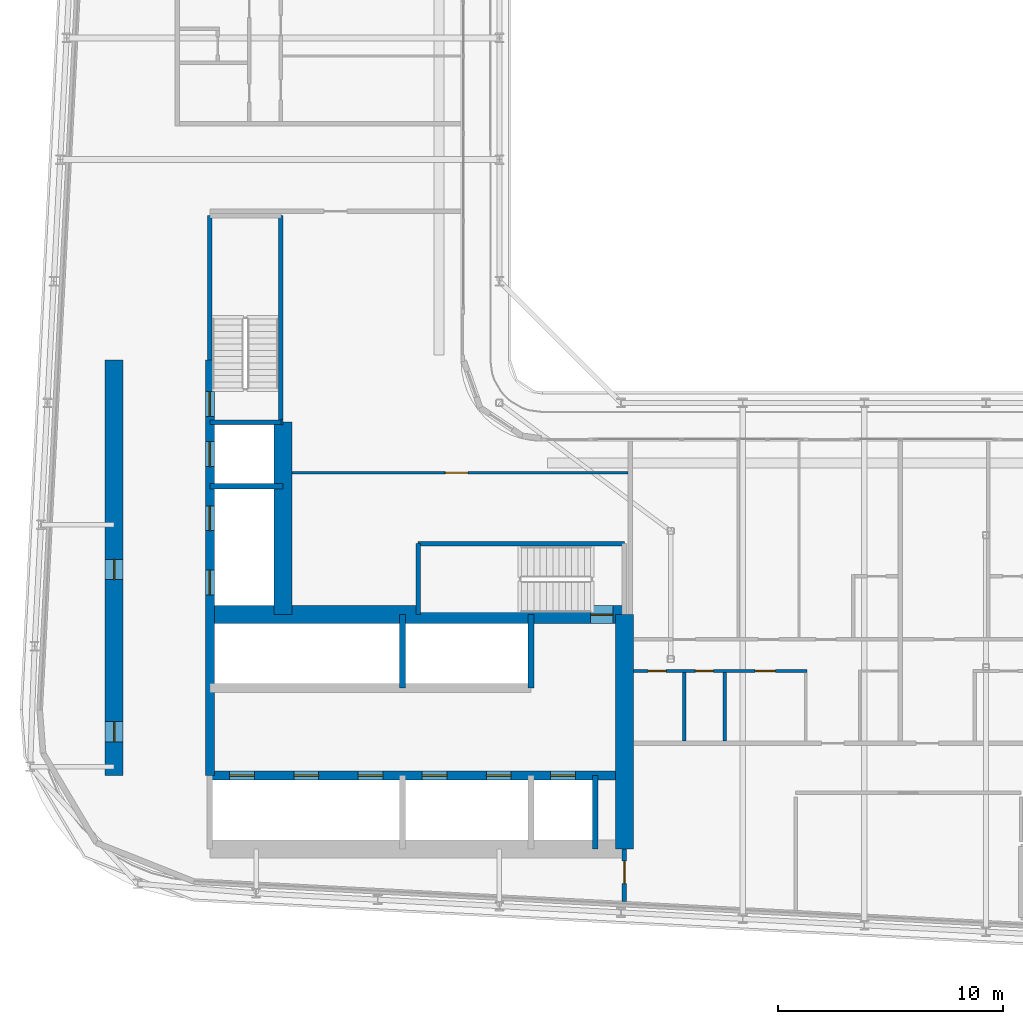
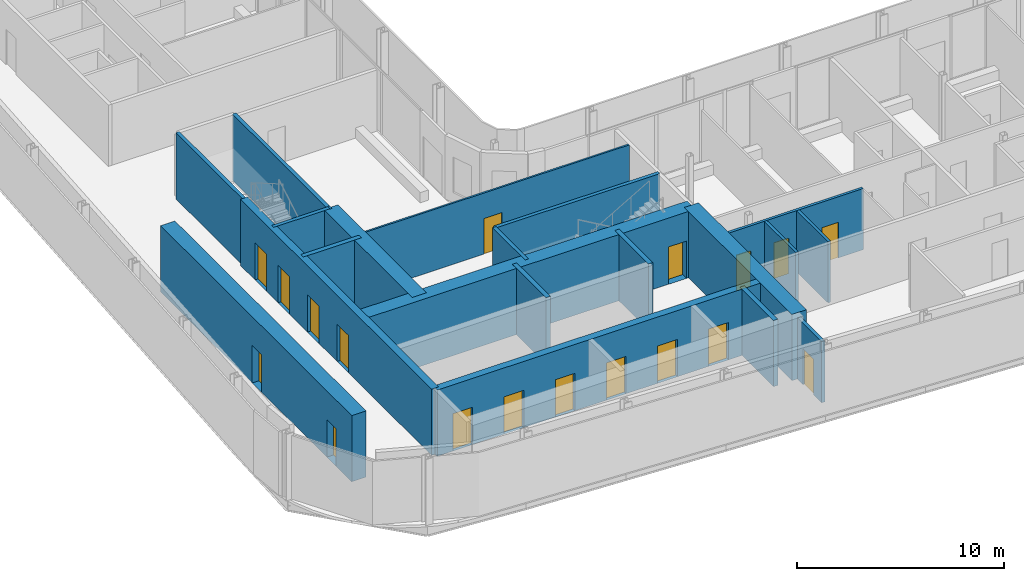
# One storey, part 14 of 28: 21 walls, 18 doors, 18 openings.
"""IFC4 building model written with IfcOpenShell, lengths in metres."""

from ifc_helpers import new_model, si_unit, direction, frame, frame_2d, origin, place, context, subcontext, project, spatial, rectangle, extrude, source, transform, mapped, material, layer, layer_set, type_object, element, fill, save


model = new_model("IFC4")

# Units and contexts
model_context = context("Model", 3, precision=1e-05, world=origin(), true_north=direction((0.0, 1.0)))
body_context = subcontext(model_context, "Body", "Model", "MODEL_VIEW")
ifc_project = project(units=[si_unit("LENGTHUNIT", "METRE"), si_unit("AREAUNIT", "SQUARE_METRE"), si_unit("VOLUMEUNIT", "CUBIC_METRE"), si_unit("PLANEANGLEUNIT", "RADIAN"), si_unit("MASSUNIT", "GRAM", prefix="KILO")], contexts=[model_context])

# Site, building, storey
site_placement = place(None, origin())
site = spatial("IfcSite", under=ifc_project, at=site_placement, CompositionType="ELEMENT")
building_placement = place(site_placement, origin())
building = spatial("IfcBuilding", under=site, at=building_placement, Name="Kheshtan School and Residences Tower", CompositionType="ELEMENT")
storey_placement = place(building_placement, frame((0.0, 0.0, 187.699951171875)))
storey = spatial("IfcBuildingStorey", under=building, at=storey_placement, Name="L44", CompositionType="ELEMENT", Elevation=187.699951171875)

# Wall, openings, doors
ifc_material_1 = material(Name="Concrete C50/60", Category="concrete")
ifc_layer_1 = layer(ifc_material_1, 0.39990234375)
ifc_layer_set_1 = layer_set([ifc_layer_1], Name="Core wall 400 Concrete C50/60")
wall_type_1 = type_object("IfcWallType", Name="Core wall 400 Concrete C50/60", PredefinedType="SHEAR", material=ifc_layer_set_1)
wall_1_placement = place(storey_placement, frame((34.75, 29.050048828125, 0.0), z_axis=(0.0, 0.0, 1.0), x_axis=(1.0, 0.0, 0.0)))
wall_1 = element("IfcWall", 1, at=wall_1_placement, inside=storey, type_object=wall_type_1, Name="Core wall CW-HALL-S1", PredefinedType="SHEAR", context=body_context, shape_type="SweptSolid", body=[
    extrude(rectangle(XDim=18.39990234375, YDim=0.39990234375, at=frame_2d((9.199951171875, 0.0))), origin(), (0.0, 0.0, 1.0), 3.900146484375),
])
opening_1_placement = place(wall_1_placement, frame((0.875, 0.0, 0.0)))
opening_1 = element("IfcOpeningElement", 2, at=opening_1_placement, cuts=wall_1, Name="Opening LD", PredefinedType="OPENING", context=body_context, shape_type="SweptSolid", body=[
    extrude(rectangle(XDim=1.10009765625, YDim=2.199951171875, at=frame_2d((0.550048828125, 1.10009765625))), frame((0.0, 0.2099609375, 0.0), z_axis=(0.0, -1.0, 0.0), x_axis=(1.0, 0.0, 0.0)), (0.0, 0.0, 1.0), 0.419921875),
])
opening_2_placement = place(wall_1_placement, frame((3.72509765625, 0.0, 0.0)))
opening_2 = element("IfcOpeningElement", 3, at=opening_2_placement, cuts=wall_1, Name="Opening LD", PredefinedType="OPENING", context=body_context, shape_type="SweptSolid", body=[
    extrude(rectangle(XDim=1.10009765625, YDim=2.199951171875, at=frame_2d((0.550048828125, 1.10009765625))), frame((0.0, 0.2099609375, 0.0), z_axis=(0.0, -1.0, 0.0), x_axis=(1.0, 0.0, 0.0)), (0.0, 0.0, 1.0), 0.419921875),
])
opening_3_placement = place(wall_1_placement, frame((6.574951171875, 0.0, 0.0)))
opening_3 = element("IfcOpeningElement", 4, at=opening_3_placement, cuts=wall_1, Name="Opening LD", PredefinedType="OPENING", context=body_context, shape_type="SweptSolid", body=[
    extrude(rectangle(XDim=1.10009765625, YDim=2.199951171875, at=frame_2d((0.550048828125, 1.10009765625))), frame((0.0, 0.2099609375, 0.0), z_axis=(0.0, -1.0, 0.0), x_axis=(1.0, 0.0, 0.0)), (0.0, 0.0, 1.0), 0.419921875),
])
opening_4_placement = place(wall_1_placement, frame((9.425048828125, 0.0, 0.0)))
opening_4 = element("IfcOpeningElement", 5, at=opening_4_placement, cuts=wall_1, Name="Opening LD", PredefinedType="OPENING", context=body_context, shape_type="SweptSolid", body=[
    extrude(rectangle(XDim=1.10009765625, YDim=2.199951171875, at=frame_2d((0.550048828125, 1.10009765625))), frame((0.0, 0.2099609375, 0.0), z_axis=(0.0, -1.0, 0.0), x_axis=(1.0, 0.0, 0.0)), (0.0, 0.0, 1.0), 0.419921875),
])
opening_5_placement = place(wall_1_placement, frame((12.27490234375, 0.0, 0.0)))
opening_5 = element("IfcOpeningElement", 6, at=opening_5_placement, cuts=wall_1, Name="Opening LD", PredefinedType="OPENING", context=body_context, shape_type="SweptSolid", body=[
    extrude(rectangle(XDim=1.10009765625, YDim=2.199951171875, at=frame_2d((0.550048828125, 1.10009765625))), frame((0.0, 0.2099609375, 0.0), z_axis=(0.0, -1.0, 0.0), x_axis=(1.0, 0.0, 0.0)), (0.0, 0.0, 1.0), 0.419921875),
])
opening_6_placement = place(wall_1_placement, frame((15.125, 0.0, 0.0)))
opening_6 = element("IfcOpeningElement", 7, at=opening_6_placement, cuts=wall_1, Name="Opening LD", PredefinedType="OPENING", context=body_context, shape_type="SweptSolid", body=[
    extrude(rectangle(XDim=1.10009765625, YDim=2.199951171875, at=frame_2d((0.550048828125, 1.10009765625))), frame((0.0, 0.2099609375, 0.0), z_axis=(0.0, -1.0, 0.0), x_axis=(1.0, 0.0, 0.0)), (0.0, 0.0, 1.0), 0.419921875),
])
ifc_material_2 = material(Name="Stainless steel door leaves", Category="steel")
door_type_1 = type_object("IfcDoorType", Name="Lift landing door 1100", OperationType="SLIDING_TO_LEFT", PredefinedType="DOOR", material=ifc_material_2)
shared_shape_1 = source(origin(), body_context, "Body", "SweptSolid", [
    extrude(rectangle(XDim=1.10009765625, YDim=2.199951171875, at=frame_2d((0.550048828125, 1.10009765625))), frame((0.0, 0.02490234375, 0.0), z_axis=(0.0, -1.0, 0.0), x_axis=(1.0, 0.0, 0.0)), (0.0, 0.0, 1.0), 0.050048828125),
])
door_1_placement = place(opening_1_placement, origin())
door_1 = element("IfcDoor", 8, at=door_1_placement, inside=storey, type_object=door_type_1, Name="Lift P7 landing door", OperationType="SLIDING_TO_LEFT", OverallHeight=2.199951171875, OverallWidth=1.10009765625, PredefinedType="DOOR", context=body_context, shape_type="MappedRepresentation", body=[
    mapped(shared_shape_1, transform((0.0, 0.0, 0.0), x_axis=(1.0, 0.0, 0.0), y_axis=(0.0, 1.0, 0.0), z_axis=(0.0, 0.0, 1.0), scale=1.0)),
])
fill(opening_1, door_1)
door_2_placement = place(opening_2_placement, origin())
door_2 = element("IfcDoor", 9, at=door_2_placement, inside=storey, type_object=door_type_1, Name="Lift P8 landing door", OperationType="SLIDING_TO_LEFT", OverallHeight=2.199951171875, OverallWidth=1.10009765625, PredefinedType="DOOR", context=body_context, shape_type="MappedRepresentation", body=[
    mapped(shared_shape_1, transform((0.0, 0.0, 0.0), x_axis=(1.0, 0.0, 0.0), y_axis=(0.0, 1.0, 0.0), z_axis=(0.0, 0.0, 1.0), scale=1.0)),
])
fill(opening_2, door_2)
door_3_placement = place(opening_3_placement, origin())
door_3 = element("IfcDoor", 10, at=door_3_placement, inside=storey, type_object=door_type_1, Name="Lift P9 landing door", OperationType="SLIDING_TO_LEFT", OverallHeight=2.199951171875, OverallWidth=1.10009765625, PredefinedType="DOOR", context=body_context, shape_type="MappedRepresentation", body=[
    mapped(shared_shape_1, transform((0.0, 0.0, 0.0), x_axis=(1.0, 0.0, 0.0), y_axis=(0.0, 1.0, 0.0), z_axis=(0.0, 0.0, 1.0), scale=1.0)),
])
fill(opening_3, door_3)
door_4_placement = place(opening_4_placement, origin())
door_4 = element("IfcDoor", 11, at=door_4_placement, inside=storey, type_object=door_type_1, Name="Lift P10 landing door", OperationType="SLIDING_TO_LEFT", OverallHeight=2.199951171875, OverallWidth=1.10009765625, PredefinedType="DOOR", context=body_context, shape_type="MappedRepresentation", body=[
    mapped(shared_shape_1, transform((0.0, 0.0, 0.0), x_axis=(1.0, 0.0, 0.0), y_axis=(0.0, 1.0, 0.0), z_axis=(0.0, 0.0, 1.0), scale=1.0)),
])
fill(opening_4, door_4)
door_5_placement = place(opening_5_placement, origin())
door_5 = element("IfcDoor", 12, at=door_5_placement, inside=storey, type_object=door_type_1, Name="Lift P11 landing door", OperationType="SLIDING_TO_LEFT", OverallHeight=2.199951171875, OverallWidth=1.10009765625, PredefinedType="DOOR", context=body_context, shape_type="MappedRepresentation", body=[
    mapped(shared_shape_1, transform((0.0, 0.0, 0.0), x_axis=(1.0, 0.0, 0.0), y_axis=(0.0, 1.0, 0.0), z_axis=(0.0, 0.0, 1.0), scale=1.0)),
])
fill(opening_5, door_5)
door_6_placement = place(opening_6_placement, origin())
door_6 = element("IfcDoor", 13, at=door_6_placement, inside=storey, type_object=door_type_1, Name="Lift FFL2 landing door", OperationType="SLIDING_TO_LEFT", OverallHeight=2.199951171875, OverallWidth=1.10009765625, PredefinedType="DOOR", context=body_context, shape_type="MappedRepresentation", body=[
    mapped(shared_shape_1, transform((0.0, 0.0, 0.0), x_axis=(1.0, 0.0, 0.0), y_axis=(0.0, 1.0, 0.0), z_axis=(0.0, 0.0, 1.0), scale=1.0)),
])
fill(opening_6, door_6)

wall_2_placement = place(storey_placement, frame((34.75, 29.050048828125, 0.0), z_axis=(0.0, 0.0, 1.0), x_axis=(0.0, 1.0, 0.0)))
wall_2 = element("IfcWall", 14, at=wall_2_placement, inside=storey, type_object=wall_type_1, Name="Core wall CW-HALL-W1", PredefinedType="SHEAR", context=body_context, shape_type="SweptSolid", body=[
    extrude(rectangle(XDim=18.449951171875, YDim=0.39990234375, at=frame_2d((9.22509765625, 0.0))), origin(), (0.0, 0.0, 1.0), 3.900146484375),
])
opening_7_placement = place(wall_2_placement, frame((8.02490234375, 0.0, 0.0)))
opening_7 = element("IfcOpeningElement", 15, at=opening_7_placement, cuts=wall_2, Name="Opening LD", PredefinedType="OPENING", context=body_context, shape_type="SweptSolid", body=[
    extrude(rectangle(XDim=1.10009765625, YDim=2.199951171875, at=frame_2d((0.550048828125, 1.10009765625))), frame((0.0, 0.2099609375, 0.0), z_axis=(0.0, -1.0, 0.0), x_axis=(1.0, 0.0, 0.0)), (0.0, 0.0, 1.0), 0.419921875),
])
opening_8_placement = place(wall_2_placement, frame((10.875, 0.0, 0.0)))
opening_8 = element("IfcOpeningElement", 16, at=opening_8_placement, cuts=wall_2, Name="Opening LD", PredefinedType="OPENING", context=body_context, shape_type="SweptSolid", body=[
    extrude(rectangle(XDim=1.10009765625, YDim=2.199951171875, at=frame_2d((0.550048828125, 1.10009765625))), frame((0.0, 0.2099609375, 0.0), z_axis=(0.0, -1.0, 0.0), x_axis=(1.0, 0.0, 0.0)), (0.0, 0.0, 1.0), 0.419921875),
])
opening_9_placement = place(wall_2_placement, frame((13.72509765625, 0.0, 0.0)))
opening_9 = element("IfcOpeningElement", 17, at=opening_9_placement, cuts=wall_2, Name="Opening LD", PredefinedType="OPENING", context=body_context, shape_type="SweptSolid", body=[
    extrude(rectangle(XDim=1.10009765625, YDim=2.199951171875, at=frame_2d((0.550048828125, 1.10009765625))), frame((0.0, 0.2099609375, 0.0), z_axis=(0.0, -1.0, 0.0), x_axis=(1.0, 0.0, 0.0)), (0.0, 0.0, 1.0), 0.419921875),
])
opening_10_placement = place(wall_2_placement, frame((15.949951171875, 0.0, 0.0)))
opening_10 = element("IfcOpeningElement", 18, at=opening_10_placement, cuts=wall_2, Name="Opening ST2D", PredefinedType="OPENING", context=body_context, shape_type="SweptSolid", body=[
    extrude(rectangle(XDim=1.10009765625, YDim=2.199951171875, at=frame_2d((0.550048828125, 1.10009765625))), frame((0.0, 0.2099609375, 0.0), z_axis=(0.0, -1.0, 0.0), x_axis=(1.0, 0.0, 0.0)), (0.0, 0.0, 1.0), 0.419921875),
])
door_7_placement = place(opening_7_placement, origin())
door_7 = element("IfcDoor", 19, at=door_7_placement, inside=storey, type_object=door_type_1, Name="Lift SV1 landing door", OperationType="SLIDING_TO_LEFT", OverallHeight=2.199951171875, OverallWidth=1.10009765625, PredefinedType="DOOR", context=body_context, shape_type="MappedRepresentation", body=[
    mapped(shared_shape_1, transform((0.0, 0.0, 0.0), x_axis=(1.0, 0.0, 0.0), y_axis=(0.0, 1.0, 0.0), z_axis=(0.0, 0.0, 1.0), scale=1.0)),
])
fill(opening_7, door_7)
door_8_placement = place(opening_8_placement, origin())
door_8 = element("IfcDoor", 20, at=door_8_placement, inside=storey, type_object=door_type_1, Name="Lift SV2 landing door", OperationType="SLIDING_TO_LEFT", OverallHeight=2.199951171875, OverallWidth=1.10009765625, PredefinedType="DOOR", context=body_context, shape_type="MappedRepresentation", body=[
    mapped(shared_shape_1, transform((0.0, 0.0, 0.0), x_axis=(1.0, 0.0, 0.0), y_axis=(0.0, 1.0, 0.0), z_axis=(0.0, 0.0, 1.0), scale=1.0)),
])
fill(opening_8, door_8)
door_9_placement = place(opening_9_placement, origin())
door_9 = element("IfcDoor", 21, at=door_9_placement, inside=storey, type_object=door_type_1, Name="Lift FFL1 landing door", OperationType="SLIDING_TO_LEFT", OverallHeight=2.199951171875, OverallWidth=1.10009765625, PredefinedType="DOOR", context=body_context, shape_type="MappedRepresentation", body=[
    mapped(shared_shape_1, transform((0.0, 0.0, 0.0), x_axis=(1.0, 0.0, 0.0), y_axis=(0.0, 1.0, 0.0), z_axis=(0.0, 0.0, 1.0), scale=1.0)),
])
fill(opening_9, door_9)
ifc_material_3 = material(Name="Steel door leaf, galvanised", Category="steel")
door_type_2 = type_object("IfcDoorType", Name="Stair door 1100 steel 90 min", OperationType="SINGLE_SWING_LEFT", PredefinedType="DOOR", material=ifc_material_3)
shared_shape_2 = source(origin(), body_context, "Body", "SweptSolid", [
    extrude(rectangle(XDim=1.10009765625, YDim=2.199951171875, at=frame_2d((0.550048828125, 1.10009765625))), frame((0.0, 0.02490234375, 0.0), z_axis=(0.0, -1.0, 0.0), x_axis=(1.0, 0.0, 0.0)), (0.0, 0.0, 1.0), 0.050048828125),
])
door_10_placement = place(opening_10_placement, origin())
door_10 = element("IfcDoor", 22, at=door_10_placement, inside=storey, type_object=door_type_2, Name="Stair ST2 door", OperationType="SINGLE_SWING_RIGHT", OverallHeight=2.199951171875, OverallWidth=1.10009765625, PredefinedType="DOOR", context=body_context, shape_type="MappedRepresentation", body=[
    mapped(shared_shape_2, transform((0.0, 0.0, 0.0), x_axis=(1.0, 0.0, 0.0), y_axis=(0.0, 1.0, 0.0), z_axis=(0.0, 0.0, 1.0), scale=1.0)),
])
fill(opening_10, door_10)

# Wall, opening, door
ifc_material_4 = material(Name="Concrete C70/85", Category="concrete")
ifc_layer_2 = layer(ifc_material_4, 0.800048828125)
ifc_layer_set_2 = layer_set([ifc_layer_2], Name="Core wall 800 Concrete C70/85")
wall_type_2 = type_object("IfcWallType", Name="Core wall 800 Concrete C70/85", PredefinedType="SHEAR", material=ifc_layer_set_2)
wall_3_placement = place(storey_placement, frame((34.75, 36.199951171875, 0.0), z_axis=(0.0, 0.0, 1.0), x_axis=(1.0, 0.0, 0.0)))
wall_3 = element("IfcWall", 23, at=wall_3_placement, inside=storey, type_object=wall_type_2, Name="Core wall CW-FRONT-S", PredefinedType="SHEAR", context=body_context, shape_type="SweptSolid", body=[
    extrude(rectangle(XDim=18.39990234375, YDim=0.800048828125, at=frame_2d((9.199951171875, 0.0))), origin(), (0.0, 0.0, 1.0), 3.900146484375),
])
opening_11_placement = place(wall_3_placement, frame((16.89990234375, 0.0, 0.0)))
opening_11 = element("IfcOpeningElement", 24, at=opening_11_placement, cuts=wall_3, Name="Opening ST1D", PredefinedType="OPENING", context=body_context, shape_type="SweptSolid", body=[
    extrude(rectangle(XDim=1.0, YDim=2.199951171875, at=frame_2d((0.5, 1.10009765625))), frame((0.0, 0.41015625, 0.0), z_axis=(0.0, -1.0, 0.0), x_axis=(1.0, 0.0, 0.0)), (0.0, 0.0, 1.0), 0.820068359375),
])
shared_shape_3 = source(origin(), body_context, "Body", "SweptSolid", [
    extrude(rectangle(XDim=1.0, YDim=2.199951171875, at=frame_2d((0.5, 1.10009765625))), frame((0.0, 0.02490234375, 0.0), z_axis=(0.0, -1.0, 0.0), x_axis=(1.0, 0.0, 0.0)), (0.0, 0.0, 1.0), 0.050048828125),
])
door_11_placement = place(opening_11_placement, origin())
door_11 = element("IfcDoor", 25, at=door_11_placement, inside=storey, type_object=door_type_2, Name="Stair ST1 door", OperationType="SINGLE_SWING_RIGHT", OverallHeight=2.199951171875, OverallWidth=1.0, PredefinedType="DOOR", context=body_context, shape_type="MappedRepresentation", body=[
    mapped(shared_shape_3, transform((0.0, 0.0, 0.0), x_axis=(1.0, 0.0, 0.0), y_axis=(0.0, 1.0, 0.0), z_axis=(0.0, 0.0, 1.0), scale=1.0)),
])
fill(opening_11, door_11)

# Wall
wall_4_placement = place(storey_placement, frame((38.0, 36.199951171875, 0.0), z_axis=(0.0, 0.0, 1.0), x_axis=(0.0, 1.0, 0.0)))
element("IfcWall", 26, at=wall_4_placement, inside=storey, type_object=wall_type_2, Name="Core wall CW-FRONT-W", PredefinedType="SHEAR", context=body_context, shape_type="SweptSolid", body=[
    extrude(rectangle(XDim=8.550048828125, YDim=0.800048828125, at=frame_2d((4.27490234375, 0.0))), origin(), (0.0, 0.0, 1.0), 3.900146484375),
])

# Wall, openings, doors
wall_5_placement = place(storey_placement, frame((30.5, 29.050048828125, 0.0), z_axis=(0.0, 0.0, 1.0), x_axis=(0.0, 1.0, 0.0)))
wall_5 = element("IfcWall", 27, at=wall_5_placement, inside=storey, type_object=wall_type_2, Name="Core wall CW-REAR-W", PredefinedType="SHEAR", context=body_context, shape_type="SweptSolid", body=[
    extrude(rectangle(XDim=18.449951171875, YDim=0.800048828125, at=frame_2d((9.22509765625, 0.0))), origin(), (0.0, 0.0, 1.0), 3.900146484375),
])
opening_12_placement = place(wall_5_placement, frame((1.5, 0.0, 0.0)))
opening_12 = element("IfcOpeningElement", 28, at=opening_12_placement, cuts=wall_5, Name="Opening SR90", PredefinedType="OPENING", context=body_context, shape_type="SweptSolid", body=[
    extrude(rectangle(XDim=0.89990234375, YDim=2.199951171875, at=frame_2d((0.449951171875, 1.10009765625))), frame((0.0, 0.41015625, 0.0), z_axis=(0.0, -1.0, 0.0), x_axis=(1.0, 0.0, 0.0)), (0.0, 0.0, 1.0), 0.820068359375),
])
opening_13_placement = place(wall_5_placement, frame((8.705078125, 0.0, 0.0)))
opening_13 = element("IfcOpeningElement", 29, at=opening_13_placement, cuts=wall_5, Name="Opening SR90", PredefinedType="OPENING", context=body_context, shape_type="SweptSolid", body=[
    extrude(rectangle(XDim=0.89990234375, YDim=2.199951171875, at=frame_2d((0.449951171875, 1.10009765625))), frame((0.0, 0.41015625, 0.0), z_axis=(0.0, -1.0, 0.0), x_axis=(1.0, 0.0, 0.0)), (0.0, 0.0, 1.0), 0.820068359375),
])
door_type_3 = type_object("IfcDoorType", Name="Service room door 900 steel 90 min", OperationType="SINGLE_SWING_LEFT", PredefinedType="DOOR", material=ifc_material_3)
shared_shape_4 = source(origin(), body_context, "Body", "SweptSolid", [
    extrude(rectangle(XDim=0.89990234375, YDim=2.199951171875, at=frame_2d((0.449951171875, 1.10009765625))), frame((0.0, 0.02490234375, 0.0), z_axis=(0.0, -1.0, 0.0), x_axis=(1.0, 0.0, 0.0)), (0.0, 0.0, 1.0), 0.050048828125),
])
door_12_placement = place(opening_12_placement, origin())
door_12 = element("IfcDoor", 30, at=door_12_placement, inside=storey, type_object=door_type_3, Name="Service room door", OperationType="SINGLE_SWING_LEFT", OverallHeight=2.199951171875, OverallWidth=0.89990234375, PredefinedType="DOOR", context=body_context, shape_type="MappedRepresentation", body=[
    mapped(shared_shape_4, transform((0.0, 0.0, 0.0), x_axis=(1.0, 0.0, 0.0), y_axis=(0.0, 1.0, 0.0), z_axis=(0.0, 0.0, 1.0), scale=1.0)),
])
fill(opening_12, door_12)
door_13_placement = place(opening_13_placement, origin())
door_13 = element("IfcDoor", 31, at=door_13_placement, inside=storey, type_object=door_type_3, Name="Service room door", OperationType="SINGLE_SWING_LEFT", OverallHeight=2.199951171875, OverallWidth=0.89990234375, PredefinedType="DOOR", context=body_context, shape_type="MappedRepresentation", body=[
    mapped(shared_shape_4, transform((0.0, 0.0, 0.0), x_axis=(1.0, 0.0, 0.0), y_axis=(0.0, 1.0, 0.0), z_axis=(0.0, 0.0, 1.0), scale=1.0)),
])
fill(opening_13, door_13)

# Wall
wall_6_placement = place(storey_placement, frame((53.14990234375, 25.800048828125, 0.0), z_axis=(0.0, 0.0, 1.0), x_axis=(0.0, 1.0, 0.0)))
element("IfcWall", 32, at=wall_6_placement, inside=storey, type_object=wall_type_2, Name="Core wall CW-EAST", PredefinedType="SHEAR", context=body_context, shape_type="SweptSolid", body=[
    extrude(rectangle(XDim=10.39990234375, YDim=0.800048828125, at=frame_2d((5.199951171875, 0.0))), origin(), (0.0, 0.0, 1.0), 3.900146484375),
])

# Wall, opening, door
ifc_material_5 = material(Name="Gypsum board on steel studs with fire boards", Category="steel")
ifc_layer_3 = layer(ifc_material_5, 0.199951171875)
ifc_layer_set_3 = layer_set([ifc_layer_3], Name="Corridor wall 200")
wall_type_3 = type_object("IfcWallType", Name="Corridor wall 200", PredefinedType="PARTITIONING", material=ifc_layer_set_3)
wall_7_placement = place(storey_placement, frame((53.14990234375, 23.47216796875, 0.0), z_axis=(0.0, 0.0, 1.0), x_axis=(0.0, 1.0, 0.0)))
wall_7 = element("IfcWall", 33, at=wall_7_placement, inside=storey, type_object=wall_type_3, Name="Partition L44-033", PredefinedType="PARTITIONING", context=body_context, shape_type="SweptSolid", body=[
    extrude(rectangle(XDim=2.327880859375, YDim=0.199951171875, at=frame_2d((1.1640625, 0.0))), origin(), (0.0, 0.0, 1.0), 3.60009765625),
])
opening_14_placement = place(wall_7_placement, frame((0.784912109375, 0.0, 0.0)))
opening_14 = element("IfcOpeningElement", 34, at=opening_14_placement, cuts=wall_7, Name="Opening D43-054", PredefinedType="OPENING", context=body_context, shape_type="SweptSolid", body=[
    extrude(rectangle(XDim=1.0, YDim=2.10009765625, at=frame_2d((0.5, 1.050048828125))), frame((0.0, 0.10986328125, 0.0), z_axis=(0.0, -1.0, 0.0), x_axis=(1.0, 0.0, 0.0)), (0.0, 0.0, 1.0), 0.219970703125),
])
ifc_material_6 = material(Name="Steel-framed fire-resisting door leaf", Category="steel")
door_type_4 = type_object("IfcDoorType", Name="Fire door FD60 1000 x 2100", OperationType="SINGLE_SWING_LEFT", PredefinedType="DOOR", material=ifc_material_6)
shared_shape_5 = source(origin(), body_context, "Body", "SweptSolid", [
    extrude(rectangle(XDim=1.0, YDim=2.10009765625, at=frame_2d((0.5, 1.050048828125))), frame((0.0, 0.02490234375, 0.0), z_axis=(0.0, -1.0, 0.0), x_axis=(1.0, 0.0, 0.0)), (0.0, 0.0, 1.0), 0.050048828125),
])
door_14_placement = place(opening_14_placement, origin())
door_14 = element("IfcDoor", 35, at=door_14_placement, inside=storey, type_object=door_type_4, Name="Door D43-054", OperationType="SINGLE_SWING_RIGHT", OverallHeight=2.10009765625, OverallWidth=1.0, PredefinedType="DOOR", context=body_context, shape_type="MappedRepresentation", body=[
    mapped(shared_shape_5, transform((0.0, 0.0, 0.0), x_axis=(1.0, 0.0, 0.0), y_axis=(0.0, 1.0, 0.0), z_axis=(0.0, 0.0, 1.0), scale=1.0)),
])
fill(opening_14, door_14)

ifc_material_7 = material(Name="Gypsum board on steel studs", Category="steel")
ifc_layer_4 = layer(ifc_material_7, 0.10009765625)
ifc_layer_set_4 = layer_set([ifc_layer_4], Name="Gypsum partition 100")
wall_type_4 = type_object("IfcWallType", Name="Gypsum partition 100", PredefinedType="PARTITIONING", material=ifc_layer_set_4)
wall_8_placement = place(storey_placement, frame((38.39892578125, 42.5, 0.0), z_axis=(0.0, 0.0, 1.0), x_axis=(1.0, 0.0, 0.0)))
wall_8 = element("IfcWall", 36, at=wall_8_placement, inside=storey, type_object=wall_type_4, Name="Partition L44-031", PredefinedType="PARTITIONING", context=body_context, shape_type="SweptSolid", body=[
    extrude(rectangle(XDim=14.901123046875, YDim=0.10009765625, at=frame_2d((7.45068359375, 0.0))), origin(), (0.0, 0.0, 1.0), 3.60009765625),
])
opening_15_placement = place(wall_8_placement, frame((6.801025390625, 0.0, 0.0)))
opening_15 = element("IfcOpeningElement", 37, at=opening_15_placement, cuts=wall_8, Name="Opening D43-053", PredefinedType="OPENING", context=body_context, shape_type="SweptSolid", body=[
    extrude(rectangle(XDim=1.0, YDim=2.10009765625, at=frame_2d((0.5, 1.050048828125))), frame((0.0, 0.06005859375, 0.0), z_axis=(0.0, -1.0, 0.0), x_axis=(1.0, 0.0, 0.0)), (0.0, 0.0, 1.0), 0.1201171875),
])
ifc_material_8 = material(Name="Veneered timber door leaf", Category="wood")
door_type_5 = type_object("IfcDoorType", Name="Door 1000 x 2100", OperationType="SINGLE_SWING_LEFT", PredefinedType="DOOR", material=ifc_material_8)
shared_shape_6 = source(origin(), body_context, "Body", "SweptSolid", [
    extrude(rectangle(XDim=1.0, YDim=2.10009765625, at=frame_2d((0.5, 1.050048828125))), frame((0.0, 0.02490234375, 0.0), z_axis=(0.0, -1.0, 0.0), x_axis=(1.0, 0.0, 0.0)), (0.0, 0.0, 1.0), 0.050048828125),
])
door_15_placement = place(opening_15_placement, origin())
door_15 = element("IfcDoor", 38, at=door_15_placement, inside=storey, type_object=door_type_5, Name="Door D43-053", OperationType="SINGLE_SWING_LEFT", OverallHeight=2.10009765625, OverallWidth=1.0, PredefinedType="DOOR", context=body_context, shape_type="MappedRepresentation", body=[
    mapped(shared_shape_6, transform((0.0, 0.0, 0.0), x_axis=(1.0, 0.0, 0.0), y_axis=(0.0, 1.0, 0.0), z_axis=(0.0, 0.0, 1.0), scale=1.0)),
])
fill(opening_15, door_15)

# Walls
ifc_material_9 = material(Name="Fire-board shaft wall system")
ifc_layer_5 = layer(ifc_material_9, 0.25)
ifc_layer_set_5 = layer_set([ifc_layer_5], Name="Shaft lining wall 250")
wall_type_5 = type_object("IfcWallType", Name="Shaft lining wall 250", PredefinedType="PARTITIONING", material=ifc_layer_set_5)
for number, where, z_axis, x_axis, name in (
    (39, (43.300048828125, 32.949951171875, 0.0), (0.0, 0.0, 1.0), (0.0, 1.0, 0.0), "Shaft lining wall"),
    (40, (49.0, 32.949951171875, 0.0), (0.0, 0.0, 1.0), (0.0, 1.0, 0.0), "Shaft lining wall"),
    (41, (51.85009765625, 25.800048828125, 0.0), (0.0, 0.0, 1.0), (0.0, 1.0, 0.0), "Shaft lining wall"),
    (42, (34.75, 41.89990234375, 0.0), (0.0, 0.0, 1.0), (1.0, 0.0, 0.0), "Shaft lining wall"),
):
    element("IfcWall", number, at=place(storey_placement, frame(where, z_axis=z_axis, x_axis=x_axis)), inside=storey, type_object=wall_type_5, Name=name, PredefinedType="PARTITIONING", context=body_context, shape_type="SweptSolid", body=[
        extrude(rectangle(XDim=3.25, YDim=0.25, at=frame_2d((1.625, 0.0))), origin(), (0.0, 0.0, 1.0), 3.900146484375),
    ])
wall_9_placement = place(storey_placement, frame((37.89990234375, 44.75, 0.0), z_axis=(0.0, 0.0, 1.0), x_axis=(1.0, 0.0, 0.0)))
element("IfcWall", 43, at=wall_9_placement, inside=storey, type_object=wall_type_5, Name="Shaft lining wall", PredefinedType="PARTITIONING", context=body_context, shape_type="SweptSolid", body=[
    extrude(rectangle(XDim=0.10009765625, YDim=0.25, at=frame_2d((0.050048828125, 0.0))), origin(), (0.0, 0.0, 1.0), 3.900146484375),
])
ifc_material_10 = material(Name="Concrete C40/50", Category="concrete")
ifc_layer_6 = layer(ifc_material_10, 0.199951171875)
ifc_layer_set_6 = layer_set([ifc_layer_6], Name="Stair enclosure wall 200 Concrete C40/50")
wall_type_6 = type_object("IfcWallType", Name="Stair enclosure wall 200 Concrete C40/50", PredefinedType="SHEAR", material=ifc_layer_set_6)
wall_10_placement = place(storey_placement, frame((43.989990234375, 39.35009765625, 0.0), z_axis=(0.0, 0.0, 1.0), x_axis=(1.0, 0.0, 0.0)))
element("IfcWall", 44, at=wall_10_placement, inside=storey, type_object=wall_type_6, Name="Stair enclosure wall ST1", PredefinedType="SHEAR", context=body_context, shape_type="SweptSolid", body=[
    extrude(rectangle(XDim=9.159912109375, YDim=0.199951171875, at=frame_2d((4.580078125, 0.0))), origin(), (0.0, 0.0, 1.0), 3.900146484375),
])
wall_11_placement = place(storey_placement, frame((43.989990234375, 36.199951171875, 0.0), z_axis=(0.0, 0.0, 1.0), x_axis=(0.0, 1.0, 0.0)))
element("IfcWall", 45, at=wall_11_placement, inside=storey, type_object=wall_type_6, Name="Stair enclosure wall ST1", PredefinedType="SHEAR", context=body_context, shape_type="SweptSolid", body=[
    extrude(rectangle(XDim=3.150146484375, YDim=0.199951171875, at=frame_2d((1.5751953125, 0.0))), origin(), (0.0, 0.0, 1.0), 3.900146484375),
])
wall_12_placement = place(storey_placement, frame((34.75, 44.75, 0.0), z_axis=(0.0, 0.0, 1.0), x_axis=(1.0, 0.0, 0.0)))
element("IfcWall", 46, at=wall_12_placement, inside=storey, type_object=wall_type_6, Name="Stair enclosure wall ST2", PredefinedType="SHEAR", context=body_context, shape_type="SweptSolid", body=[
    extrude(rectangle(XDim=3.14990234375, YDim=0.199951171875, at=frame_2d((1.574951171875, 0.0))), origin(), (0.0, 0.0, 1.0), 3.900146484375),
])
wall_13_placement = place(storey_placement, frame((34.75, 47.5, 0.0), z_axis=(0.0, 0.0, 1.0), x_axis=(0.0, 1.0, 0.0)))
element("IfcWall", 47, at=wall_13_placement, inside=storey, type_object=wall_type_6, Name="Stair enclosure wall ST2", PredefinedType="SHEAR", context=body_context, shape_type="SweptSolid", body=[
    extrude(rectangle(XDim=6.409912109375, YDim=0.199951171875, at=frame_2d((3.205078125, 0.0))), origin(), (0.0, 0.0, 1.0), 3.900146484375),
])
wall_14_placement = place(storey_placement, frame((37.89990234375, 44.75, 0.0), z_axis=(0.0, 0.0, 1.0), x_axis=(0.0, 1.0, 0.0)))
element("IfcWall", 48, at=wall_14_placement, inside=storey, type_object=wall_type_6, Name="Stair enclosure wall ST2", PredefinedType="SHEAR", context=body_context, shape_type="SweptSolid", body=[
    extrude(rectangle(XDim=9.159912109375, YDim=0.199951171875, at=frame_2d((4.580078125, 0.0))), origin(), (0.0, 0.0, 1.0), 3.900146484375),
])

# Wall, openings, doors
ifc_material_11 = material(Name="Moisture-resistant gypsum board on steel studs", Category="steel")
ifc_layer_7 = layer(ifc_material_11, 0.14990234375)
ifc_layer_set_7 = layer_set([ifc_layer_7], Name="Wet-room partition 150")
wall_type_7 = type_object("IfcWallType", Name="Wet-room partition 150", PredefinedType="PARTITIONING", material=ifc_layer_set_7)
wall_15_placement = place(storey_placement, frame((53.549072265625, 33.699951171875, 0.0), z_axis=(0.0, 0.0, 1.0), x_axis=(1.0, 0.0, 0.0)))
wall_15 = element("IfcWall", 49, at=wall_15_placement, inside=storey, type_object=wall_type_7, Name="Partition L44-036", PredefinedType="PARTITIONING", context=body_context, shape_type="SweptSolid", body=[
    extrude(rectangle(XDim=7.700927734375, YDim=0.14990234375, at=frame_2d((3.8505859375, 0.0))), origin(), (0.0, 0.0, 1.0), 3.60009765625),
])
opening_16_placement = place(wall_15_placement, frame((0.65087890625, 0.0, 0.0)))
opening_16 = element("IfcOpeningElement", 50, at=opening_16_placement, cuts=wall_15, Name="Opening D43-001", PredefinedType="OPENING", context=body_context, shape_type="SweptSolid", body=[
    extrude(rectangle(XDim=0.800048828125, YDim=2.10009765625, at=frame_2d((0.39990234375, 1.050048828125))), frame((0.0, 0.0849609375, 0.0), z_axis=(0.0, -1.0, 0.0), x_axis=(1.0, 0.0, 0.0)), (0.0, 0.0, 1.0), 0.169921875),
])
opening_17_placement = place(wall_15_placement, frame((5.40087890625, 0.0, 0.0)))
opening_17 = element("IfcOpeningElement", 51, at=opening_17_placement, cuts=wall_15, Name="Opening D43-005", PredefinedType="OPENING", context=body_context, shape_type="SweptSolid", body=[
    extrude(rectangle(XDim=0.89990234375, YDim=2.10009765625, at=frame_2d((0.449951171875, 1.050048828125))), frame((0.0, 0.0849609375, 0.0), z_axis=(0.0, -1.0, 0.0), x_axis=(1.0, 0.0, 0.0)), (0.0, 0.0, 1.0), 0.169921875),
])
opening_18_placement = place(wall_15_placement, frame((2.7509765625, 0.0, 0.0)))
opening_18 = element("IfcOpeningElement", 52, at=opening_18_placement, cuts=wall_15, Name="Opening D43-009", PredefinedType="OPENING", context=body_context, shape_type="SweptSolid", body=[
    extrude(rectangle(XDim=0.800048828125, YDim=2.10009765625, at=frame_2d((0.39990234375, 1.050048828125))), frame((0.0, 0.0849609375, 0.0), z_axis=(0.0, -1.0, 0.0), x_axis=(1.0, 0.0, 0.0)), (0.0, 0.0, 1.0), 0.169921875),
])
door_type_6 = type_object("IfcDoorType", Name="Door 800 x 2100", OperationType="SINGLE_SWING_LEFT", PredefinedType="DOOR", material=ifc_material_8)
shared_shape_7 = source(origin(), body_context, "Body", "SweptSolid", [
    extrude(rectangle(XDim=0.800048828125, YDim=2.10009765625, at=frame_2d((0.39990234375, 1.050048828125))), frame((0.0, 0.02490234375, 0.0), z_axis=(0.0, -1.0, 0.0), x_axis=(1.0, 0.0, 0.0)), (0.0, 0.0, 1.0), 0.050048828125),
])
door_16_placement = place(opening_16_placement, origin())
door_16 = element("IfcDoor", 53, at=door_16_placement, inside=storey, type_object=door_type_6, Name="Door D43-001", OperationType="SINGLE_SWING_RIGHT", OverallHeight=2.10009765625, OverallWidth=0.800048828125, PredefinedType="DOOR", context=body_context, shape_type="MappedRepresentation", body=[
    mapped(shared_shape_7, transform((0.0, 0.0, 0.0), x_axis=(1.0, 0.0, 0.0), y_axis=(0.0, 1.0, 0.0), z_axis=(0.0, 0.0, 1.0), scale=1.0)),
])
fill(opening_16, door_16)
door_17_placement = place(opening_18_placement, origin())
door_17 = element("IfcDoor", 54, at=door_17_placement, inside=storey, type_object=door_type_6, Name="Door D43-009", OperationType="SINGLE_SWING_LEFT", OverallHeight=2.10009765625, OverallWidth=0.800048828125, PredefinedType="DOOR", context=body_context, shape_type="MappedRepresentation", body=[
    mapped(shared_shape_7, transform((0.0, 0.0, 0.0), x_axis=(1.0, 0.0, 0.0), y_axis=(0.0, 1.0, 0.0), z_axis=(0.0, 0.0, 1.0), scale=1.0)),
])
fill(opening_18, door_17)
door_type_7 = type_object("IfcDoorType", Name="Door 900 x 2100", OperationType="SINGLE_SWING_LEFT", PredefinedType="DOOR", material=ifc_material_8)
shared_shape_8 = source(origin(), body_context, "Body", "SweptSolid", [
    extrude(rectangle(XDim=0.89990234375, YDim=2.10009765625, at=frame_2d((0.449951171875, 1.050048828125))), frame((0.0, 0.02490234375, 0.0), z_axis=(0.0, -1.0, 0.0), x_axis=(1.0, 0.0, 0.0)), (0.0, 0.0, 1.0), 0.050048828125),
])
door_18_placement = place(opening_17_placement, origin())
door_18 = element("IfcDoor", 55, at=door_18_placement, inside=storey, type_object=door_type_7, Name="Door D43-005", OperationType="SINGLE_SWING_LEFT", OverallHeight=2.10009765625, OverallWidth=0.89990234375, PredefinedType="DOOR", context=body_context, shape_type="MappedRepresentation", body=[
    mapped(shared_shape_8, transform((0.0, 0.0, 0.0), x_axis=(1.0, 0.0, 0.0), y_axis=(0.0, 1.0, 0.0), z_axis=(0.0, 0.0, 1.0), scale=1.0)),
])
fill(opening_17, door_18)

# Walls
for number, where, z_axis, x_axis, name in (
    (56, (55.800048828125, 30.60009765625, 0.0), (0.0, 0.0, 1.0), (0.0, 1.0, 0.0), "Partition L44-038"),
    (57, (57.60009765625, 30.60009765625, 0.0), (0.0, 0.0, 1.0), (0.0, 1.0, 0.0), "Partition L44-039"),
):
    element("IfcWall", number, at=place(storey_placement, frame(where, z_axis=z_axis, x_axis=x_axis)), inside=storey, type_object=wall_type_7, Name=name, PredefinedType="PARTITIONING", context=body_context, shape_type="SweptSolid", body=[
        extrude(rectangle(XDim=3.02490234375, YDim=0.14990234375, at=frame_2d((1.512451171875, 0.0))), origin(), (0.0, 0.0, 1.0), 3.60009765625),
    ])

save(model, "model.ifc")
